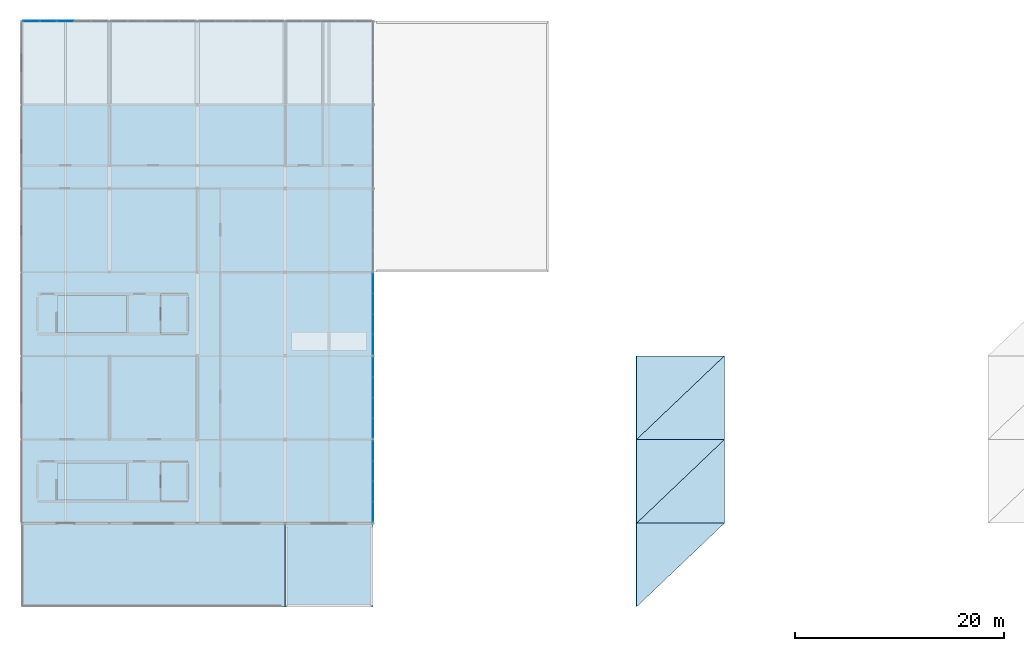
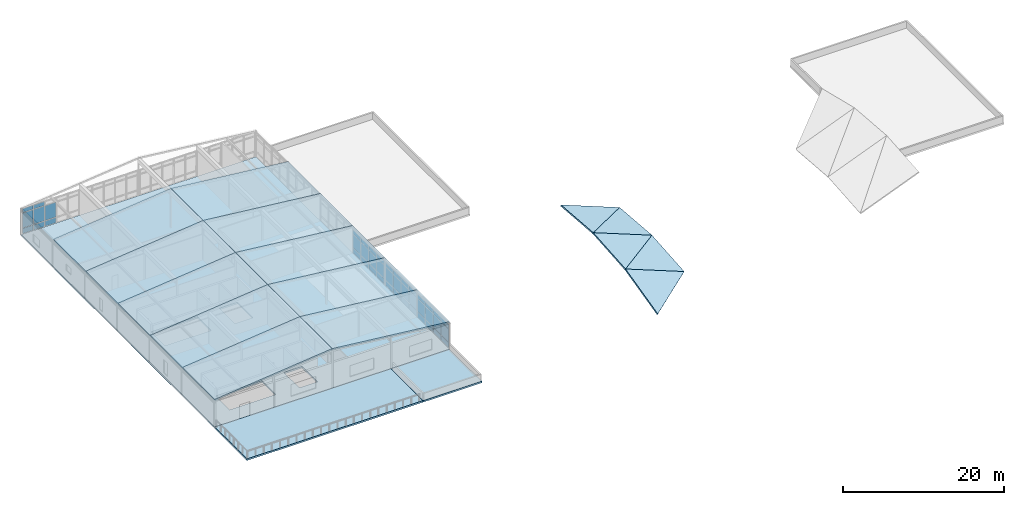
# One storey, part 15 of 25: 44 plates, 18 slabs, 4 elements without a shape of their own.
"""IFC4 building model written with IfcOpenShell, lengths in metres."""

import ifcopenshell
import ifcopenshell.guid

model = None  # the IFC model being written
_history = None  # IfcOwnerHistory: only IFC2X3 demands one
_inside = {}  # id of a spatial element -> (the spatial element, [elements in it])
_under = {}  # id of a project, library or spatial element -> (it, [spatial elements below it])
_declared = {}  # id of a project -> (the project, [libraries it declares])
_typed = {}  # id of a type object -> (the type object, [elements of that type])
_made_of = {}  # id of a material, layer set ... -> (it, [elements and type objects made of it])


def new_model(schema):
    """Start an empty IFC model of exactly this schema.

    Asked for "IFC4X3", IfcOpenShell would pick the latest addendum, in which some entities
    have other attributes; the version numbers below select the first issue.
    IFC2X3 requires an IfcOwnerHistory on every rooted entity: one is made here for all.
    """
    global model, _history
    if schema == "IFC4X3":
        model = ifcopenshell.file(schema_version=(4, 3, 0, 0))
    else:
        model = ifcopenshell.file(schema=schema)
    _inside.clear()
    _under.clear()
    _declared.clear()
    _typed.clear()
    _made_of.clear()
    _history = None
    if model.schema == "IFC2X3":
        org = make("IfcOrganization", Name="unknown")
        user = make(
            "IfcPersonAndOrganization",
            ThePerson=make("IfcPerson", FamilyName="unknown"),
            TheOrganization=org,
        )
        app = make(
            "IfcApplication",
            ApplicationDeveloper=org,
            Version="unknown",
            ApplicationFullName="unknown",
            ApplicationIdentifier="unknown",
        )
        _history = make(
            "IfcOwnerHistory",
            OwningUser=user,
            OwningApplication=app,
            ChangeAction="ADDED",
            CreationDate=0,
        )
    return model


def make(cls, **values):
    """One entity of the class cls with the attributes given. An attribute that is None is left unset."""
    return model.create_entity(
        cls, **{name: value for name, value in values.items() if value is not None}
    )


def rooted(cls, **values):
    """An entity with a GlobalId (a new one), such as an element, a storey or a relation."""
    return make(cls, GlobalId=ifcopenshell.guid.new(), OwnerHistory=_history, **values)


def si_unit(unit_type, name, prefix=None):
    """IfcSIUnit, for example si_unit("LENGTHUNIT", "METRE", prefix="MILLI")."""
    return make("IfcSIUnit", UnitType=unit_type, Prefix=prefix, Name=name)


def assignment(units):
    """IfcUnitAssignment: the units of a project."""
    return None if units is None else make("IfcUnitAssignment", Units=units)


def point(xyz):
    """IfcCartesianPoint."""
    return None if xyz is None else make("IfcCartesianPoint", Coordinates=xyz)


def direction(xyz):
    """IfcDirection."""
    return None if xyz is None else make("IfcDirection", DirectionRatios=xyz)


def frame(location, z_axis=None, x_axis=None):
    """IfcAxis2Placement3D, a coordinate frame: its origin and axes. An axis left out is left unset."""
    return make(
        "IfcAxis2Placement3D",
        Location=point(location),
        Axis=direction(z_axis),
        RefDirection=direction(x_axis),
    )


def frame_2d(location, x_axis=None):
    """IfcAxis2Placement2D, a coordinate frame in the plane: its origin and x axis."""
    return make(
        "IfcAxis2Placement2D", Location=point(location), RefDirection=direction(x_axis)
    )


def origin():
    """The frame at (0, 0, 0) with its axes left unset."""
    return frame((0.0, 0.0, 0.0))


def origin_2d():
    """The frame at (0, 0) in the plane with its x axis left unset."""
    return frame_2d((0.0, 0.0))


def place(relative_to, where):
    """IfcLocalPlacement: puts the frame where relative to a parent placement (None: the world)."""
    return make(
        "IfcLocalPlacement", PlacementRelTo=relative_to, RelativePlacement=where
    )


def context(
    kind, dimensions, precision=None, world=None, true_north=None, identifier=None
):
    """IfcGeometricRepresentationContext, for example the 3D "Model" context."""
    return make(
        "IfcGeometricRepresentationContext",
        ContextIdentifier=identifier,
        ContextType=kind,
        CoordinateSpaceDimension=dimensions,
        Precision=precision,
        WorldCoordinateSystem=world,
        TrueNorth=true_north,
    )


def subcontext(parent, identifier, kind, view, scale=None):
    """IfcGeometricRepresentationSubContext, for example "Body" below "Model"."""
    return make(
        "IfcGeometricRepresentationSubContext",
        ContextIdentifier=identifier,
        ContextType=kind,
        ParentContext=parent,
        TargetScale=scale,
        TargetView=view,
    )


def project(units=None, contexts=None):
    """IfcProject with its units and contexts."""
    return rooted(
        "IfcProject",
        Name="project",
        RepresentationContexts=contexts,
        UnitsInContext=assignment(units),
    )


def spatial(cls, under=None, at=None, **own):
    """A site, building, storey or space (cls), placed at a placement, below another one or the project."""
    s = rooted(cls, ObjectPlacement=at, **own)
    if under is not None:
        _under.setdefault(under.id(), (under, []))[1].append(s)
    return s


def polyline(points):
    """IfcPolyline through the points."""
    return make("IfcPolyline", Points=[point(p) for p in points])


def profile(cls, at=None, kind="AREA", **sizes):
    """A parametric profile (cls). Its sizes go by their IFC names, for example OverallWidth=200.0."""
    return make(cls, ProfileType=kind, Position=at, **sizes)


def rectangle(**sizes):
    """IfcRectangleProfileDef."""
    return profile("IfcRectangleProfileDef", **sizes)


def outline(outer, holes=None, kind="AREA"):
    """IfcArbitraryClosedProfileDef: a profile drawn as a closed curve; with holes, ...WithVoids."""
    if holes is None:
        return make("IfcArbitraryClosedProfileDef", ProfileType=kind, OuterCurve=outer)
    return make(
        "IfcArbitraryProfileDefWithVoids",
        ProfileType=kind,
        OuterCurve=outer,
        InnerCurves=holes,
    )


def extrude(swept, where, along, depth):
    """IfcExtrudedAreaSolid: the profile swept, set in the frame where, extruded along a direction by depth."""
    return make(
        "IfcExtrudedAreaSolid",
        SweptArea=swept,
        Position=where,
        ExtrudedDirection=direction(along),
        Depth=depth,
    )


def shape(context_of_items, identifier, shape_type, items):
    """IfcShapeRepresentation: the items that make up one representation, for example the "Body"."""
    return make(
        "IfcShapeRepresentation",
        ContextOfItems=context_of_items,
        RepresentationIdentifier=identifier,
        RepresentationType=shape_type,
        Items=items,
    )


def material(Name=None, Category=None):
    """IfcMaterial."""
    return make("IfcMaterial", Name=Name, Category=Category)


def layer(
    of_material, thickness, ventilated=None, Name=None, Category=None, Priority=None
):
    """IfcMaterialLayer: one layer of a wall or slab, of a material (None: an air gap)."""
    return make(
        "IfcMaterialLayer",
        Material=of_material,
        LayerThickness=thickness,
        IsVentilated=ventilated,
        Name=Name,
        Category=Category,
        Priority=Priority,
    )


def layer_set(layers, Name=None):
    """IfcMaterialLayerSet."""
    return make("IfcMaterialLayerSet", MaterialLayers=layers, LayerSetName=Name)


def made_of(thing, what):
    """Note that an element or type object is made of a material, layer set ...; save() writes the relation."""
    if what is not None:
        _made_of.setdefault(what.id(), (what, []))[1].append(thing)
    return thing


def type_object(cls, material=None, **own):
    """A type object (cls), such as IfcWallType, which elements share."""
    return made_of(rooted(cls, **own), material)


def element(
    cls,
    number,
    at=None,
    inside=None,
    cuts=None,
    type_object=None,
    material=None,
    context=None,
    identifier="Body",
    shape_type=None,
    held_by="IfcProductDefinitionShape",
    body=None,
    shapes=None,
    **own,
):
    """One element of the class cls, such as IfcWall. Its Tag is "e" and its number.

    at: its placement. inside: the storey or other place that contains it. cuts: it is an
    opening in that element (IfcRelVoidsElement). A single representation is given by context,
    identifier, shape_type and body (its items); several are given by shapes. held_by: the class
    of the entity that holds the representations. save() writes the other relations.
    """
    e = rooted(cls, Tag="e%d" % number, ObjectPlacement=at, **own)
    if body is not None:
        shapes = [shape(context, identifier, shape_type, body)]
    if shapes is not None:
        e.Representation = make(held_by, Representations=shapes)
    if inside is not None:
        _inside.setdefault(inside.id(), (inside, []))[1].append(e)
    if cuts is not None:
        rooted(
            "IfcRelVoidsElement", RelatingBuildingElement=cuts, RelatedOpeningElement=e
        )
    if type_object is not None:
        _typed.setdefault(type_object.id(), (type_object, []))[1].append(e)
    return made_of(e, material)


def aggregate(whole, parts):
    """IfcRelAggregates: a whole, such as a stair, and the parts it consists of."""
    return rooted("IfcRelAggregates", RelatingObject=whole, RelatedObjects=parts)


def save(model, path):
    """Write the relations noted so far, then the file.

    IfcRelAggregates (storeys below a building ...), IfcRelContainedInSpatialStructure (elements
    in a storey), IfcRelDefinesByType, IfcRelAssociatesMaterial and IfcRelDeclares: one each for
    every whole, place, type object, material and project.
    """
    for whole, parts in _under.values():
        aggregate(whole, parts)
    for where, things in _inside.values():
        rooted(
            "IfcRelContainedInSpatialStructure",
            RelatedElements=things,
            RelatingStructure=where,
        )
    for kind, things in _typed.values():
        rooted("IfcRelDefinesByType", RelatedObjects=things, RelatingType=kind)
    for what, things in _made_of.values():
        rooted("IfcRelAssociatesMaterial", RelatedObjects=things, RelatingMaterial=what)
    for by, libraries in _declared.values():
        rooted("IfcRelDeclares", RelatingContext=by, RelatedDefinitions=libraries)
    model.write(path)


model = new_model("IFC4")

# Units and contexts
model_context = context("Model", 3, precision=1e-05, world=origin(), true_north=direction((0.0, 1.0)))
body_context = subcontext(model_context, "Body", "Model", "MODEL_VIEW")
ifc_project = project(units=[si_unit("LENGTHUNIT", "METRE"), si_unit("AREAUNIT", "SQUARE_METRE"), si_unit("VOLUMEUNIT", "CUBIC_METRE"), si_unit("PLANEANGLEUNIT", "RADIAN"), si_unit("MASSUNIT", "GRAM", prefix="KILO")], contexts=[model_context])

# Site, building, storey
site_placement = place(None, origin())
site = spatial("IfcSite", under=ifc_project, at=site_placement, CompositionType="ELEMENT")
building_placement = place(site_placement, origin())
building = spatial("IfcBuilding", under=site, at=building_placement, Name="Kranzveld Transit Interchange", CompositionType="ELEMENT")
storey_placement = place(building_placement, frame((0.0, 0.0, 21.0400390625)))
storey = spatial("IfcBuildingStorey", under=building, at=storey_placement, Name="L05", CompositionType="ELEMENT", Elevation=21.0400390625)

# Slabs
ifc_material_1 = material(Name="Concrete C35/45", Category="concrete")
ifc_layer_1 = layer(ifc_material_1, 0.25)
ifc_layer_set_1 = layer_set([ifc_layer_1], Name="Concrete C35/45")
slab_type_1 = type_object("IfcSlabType", Name="Control Floor Slab 250 C35/45", PredefinedType="FLOOR", material=ifc_layer_set_1)
slab_1_placement = place(storey_placement, frame((0.0, 0.0, -0.25)))
element("IfcSlab", 1, at=slab_1_placement, inside=storey, type_object=slab_type_1, Name="L05 Suspended Floor Slab 1", PredefinedType="FLOOR", context=body_context, shape_type="SweptSolid", body=[
    extrude(outline(polyline([(0.0, 64.0), (0.0, 112.0), (33.60009765625, 112.0), (33.60009765625, 64.0), (0.0, 64.0)]), holes=[polyline([(3.41796875, 69.72998046875), (3.41796875, 66.27001953125), (10.050048828125, 66.27001953125), (10.050048828125, 69.72998046875), (3.41796875, 69.72998046875)]), polyline([(13.300048828125, 66.090087890625), (15.89990234375, 66.090087890625), (15.89990234375, 69.909912109375), (13.300048828125, 69.909912109375), (13.300048828125, 66.090087890625)]), polyline([(3.41796875, 85.72998046875), (3.41796875, 82.27001953125), (10.050048828125, 82.27001953125), (10.050048828125, 85.72998046875), (3.41796875, 85.72998046875)]), polyline([(13.300048828125, 82.090087890625), (15.89990234375, 82.090087890625), (15.89990234375, 85.909912109375), (13.300048828125, 85.909912109375), (13.300048828125, 82.090087890625)])]), origin(), (0.0, 0.0, 1.0), 0.25),
])
ifc_material_2 = material(Name="Concrete C35/45", Category="concrete")
ifc_layer_2 = layer(ifc_material_2, 0.239990234375)
ifc_layer_set_2 = layer_set([ifc_layer_2], Name="Concrete C35/45")
slab_type_2 = type_object("IfcSlabType", Name="Crown Concrete Roof Slab 240 C35/45", PredefinedType="ROOF", material=ifc_layer_set_2)
slab_2_placement = place(storey_placement, frame((0.0, 64.0, 4.159912109375), z_axis=(-0.106636790815, 0.0, 0.994298041256), x_axis=(0.994298041256, 0.0, 0.106636790815)))
element("IfcSlab", 2, at=slab_2_placement, inside=storey, type_object=slab_type_2, Name="L05 Vaulted Crown Roof Facet J-K W", PredefinedType="ROOF", context=body_context, shape_type="SweptSolid", body=[
    extrude(outline(polyline([(0.0, 0.0), (16.880185669159225, 0.0), (16.880185669159225, 8.000000000000002), (0.0, 8.000000000000002), (0.0, 0.0)])), origin(), (0.0, 0.0, -1.0), 0.239990234375),
])
slab_3_placement = place(storey_placement, frame((16.81591796875, 64.0, 5.9599609375), z_axis=(0.106635257328, 0.0, 0.994298205718), x_axis=(0.994298205718, 0.0, -0.106635257328)))
element("IfcSlab", 3, at=slab_3_placement, inside=storey, type_object=slab_type_2, Name="L05 Vaulted Crown Roof Facet J-K E", PredefinedType="ROOF", context=body_context, shape_type="SweptSolid", body=[
    extrude(outline(polyline([(0.0, 0.0), (16.880428417724527, 0.0), (16.880428417724527, 8.0), (0.0, 8.0), (0.0, 0.0)])), origin(), (0.0, 0.0, -1.0), 0.239990234375),
])
slab_4_placement = place(storey_placement, frame((0.0, 72.0, 4.159912109375), z_axis=(-0.106636790815, 0.0, 0.994298041256), x_axis=(0.994298041256, 0.0, 0.106636790815)))
element("IfcSlab", 4, at=slab_4_placement, inside=storey, type_object=slab_type_2, Name="L05 Vaulted Crown Roof Facet K-L W", PredefinedType="ROOF", context=body_context, shape_type="SweptSolid", body=[
    extrude(outline(polyline([(0.0, 0.0), (16.880185669159225, 0.0), (16.880185669159225, 8.000000000000002), (0.0, 8.000000000000002), (0.0, 0.0)])), origin(), (0.0, 0.0, -1.0), 0.239990234375),
])
slab_5_placement = place(storey_placement, frame((16.81591796875, 72.0, 5.9599609375), z_axis=(0.106635257328, 0.0, 0.994298205718), x_axis=(0.994298205718, 0.0, -0.106635257328)))
element("IfcSlab", 5, at=slab_5_placement, inside=storey, type_object=slab_type_2, Name="L05 Vaulted Crown Roof Facet K-L E", PredefinedType="ROOF", context=body_context, shape_type="SweptSolid", body=[
    extrude(outline(polyline([(0.0, 0.0), (16.880428417724527, 0.0), (16.880428417724527, 8.0), (0.0, 8.0), (0.0, 0.0)])), origin(), (0.0, 0.0, -1.0), 0.239990234375),
])
slab_6_placement = place(storey_placement, frame((0.0, 80.0, 4.159912109375), z_axis=(-0.106636790815, 0.0, 0.994298041256), x_axis=(0.994298041256, 0.0, 0.106636790815)))
element("IfcSlab", 6, at=slab_6_placement, inside=storey, type_object=slab_type_2, Name="L05 Vaulted Crown Roof Facet L-M W", PredefinedType="ROOF", context=body_context, shape_type="SweptSolid", body=[
    extrude(outline(polyline([(0.0, 0.0), (16.880185669159225, 0.0), (16.880185669159225, 8.000000000000002), (0.0, 8.000000000000002), (0.0, 0.0)])), origin(), (0.0, 0.0, -1.0), 0.239990234375),
])
slab_7_placement = place(storey_placement, frame((16.81591796875, 80.0, 5.9599609375), z_axis=(0.106635257328, 0.0, 0.994298205718), x_axis=(0.994298205718, 0.0, -0.106635257328)))
element("IfcSlab", 7, at=slab_7_placement, inside=storey, type_object=slab_type_2, Name="L05 Vaulted Crown Roof Facet L-M E", PredefinedType="ROOF", context=body_context, shape_type="SweptSolid", body=[
    extrude(outline(polyline([(0.0, 0.0), (16.880428417724527, 0.0), (16.880428417724527, 8.0), (0.0, 8.0), (0.0, 0.0)])), origin(), (0.0, 0.0, -1.0), 0.239990234375),
])
slab_8_placement = place(storey_placement, frame((0.0, 88.0, 4.159912109375), z_axis=(-0.106636790815, 0.0, 0.994298041256), x_axis=(0.994298041256, 0.0, 0.106636790815)))
element("IfcSlab", 8, at=slab_8_placement, inside=storey, type_object=slab_type_2, Name="L05 Vaulted Crown Roof Facet M-N W", PredefinedType="ROOF", context=body_context, shape_type="SweptSolid", body=[
    extrude(outline(polyline([(0.0, 0.0), (16.880185669159225, 0.0), (16.880185669159225, 8.000000000000002), (0.0, 8.000000000000002), (0.0, 0.0)])), origin(), (0.0, 0.0, -1.0), 0.239990234375),
])
slab_9_placement = place(storey_placement, frame((16.81591796875, 88.0, 5.9599609375), z_axis=(0.106635257328, 0.0, 0.994298205718), x_axis=(0.994298205718, 0.0, -0.106635257328)))
element("IfcSlab", 9, at=slab_9_placement, inside=storey, type_object=slab_type_2, Name="L05 Vaulted Crown Roof Facet M-N E", PredefinedType="ROOF", context=body_context, shape_type="SweptSolid", body=[
    extrude(outline(polyline([(0.0, 0.0), (16.880428417724527, 0.0), (16.880428417724527, 8.0), (0.0, 8.0), (0.0, 0.0)])), origin(), (0.0, 0.0, -1.0), 0.239990234375),
])
slab_10_placement = place(storey_placement, frame((0.0, 96.0, 4.159912109375), z_axis=(-0.106636790815, 0.0, 0.994298041256), x_axis=(0.994298041256, 0.0, 0.106636790815)))
element("IfcSlab", 10, at=slab_10_placement, inside=storey, type_object=slab_type_2, Name="L05 Vaulted Crown Roof Facet N-P W", PredefinedType="ROOF", context=body_context, shape_type="SweptSolid", body=[
    extrude(outline(polyline([(0.0, 0.0), (16.880185669159225, 0.0), (16.880185669159225, 8.000000000000002), (0.0, 8.000000000000002), (0.0, 0.0)])), origin(), (0.0, 0.0, -1.0), 0.239990234375),
])
slab_11_placement = place(storey_placement, frame((16.81591796875, 96.0, 5.9599609375), z_axis=(0.106635257328, 0.0, 0.994298205718), x_axis=(0.994298205718, 0.0, -0.106635257328)))
element("IfcSlab", 11, at=slab_11_placement, inside=storey, type_object=slab_type_2, Name="L05 Vaulted Crown Roof Facet N-P E", PredefinedType="ROOF", context=body_context, shape_type="SweptSolid", body=[
    extrude(outline(polyline([(0.0, 0.0), (16.880428417724527, 0.0), (16.880428417724527, 8.0), (0.0, 8.0), (0.0, 0.0)])), origin(), (0.0, 0.0, -1.0), 0.239990234375),
])

# Curtain wall, plates
ifc_material_3 = material(Name="Bronze-anodised thermally broken aluminium", Category="aluminium")
ifc_layer_3 = layer(ifc_material_3, 0.18505859375)
ifc_layer_set_3 = layer_set([ifc_layer_3], Name="Bronze-anodised thermally broken aluminium")
curtain_wall_type = type_object("IfcCurtainWallType", Name="Control Crown Observation Facade CW-5", PredefinedType="USERDEFINED", material=ifc_layer_set_3)
curtain_wall_1_placement = place(storey_placement, origin())
curtain_wall_1 = element("IfcCurtainWall", 12, at=curtain_wall_1_placement, inside=storey, type_object=curtain_wall_type, Name="L05 Curtain Wall 05/J-05/K", ObjectType="CURTAIN WALL", PredefinedType="USERDEFINED")
ifc_material_4 = material(Name="Solar-control double glazing", Category="glass")
ifc_layer_4 = layer(ifc_material_4, 0.035888671875)
ifc_layer_set_4 = layer_set([ifc_layer_4], Name="Solar-control double glazing")
plate_type = type_object("IfcPlateType", Name="Curtain Panel Triple Glazing 36", PredefinedType="CURTAIN_PANEL", material=ifc_layer_set_4)
plate_1_placement = place(storey_placement, frame((33.60009765625, 65.092529296875, 0.06494140625), z_axis=(0.0, 0.0, 1.0), x_axis=(0.0, 1.0, 0.0)))
plate_1 = element("IfcPlate", 13, at=plate_1_placement, type_object=plate_type, Name="CW-5 panel 1.1", PredefinedType="CURTAIN_PANEL", context=body_context, shape_type="SweptSolid", body=[
    extrude(rectangle(XDim=1.85498046875, YDim=0.035888671875, at=origin_2d()), origin(), (0.0, 0.0, 1.0), 0.802490234375),
])
plate_2_placement = place(storey_placement, frame((33.60009765625, 65.092529296875, 0.932373046875), z_axis=(0.0, 0.0, 1.0), x_axis=(0.0, 1.0, 0.0)))
plate_2 = element("IfcPlate", 14, at=plate_2_placement, type_object=plate_type, Name="CW-5 panel 1.2", PredefinedType="CURTAIN_PANEL", context=body_context, shape_type="SweptSolid", body=[
    extrude(rectangle(XDim=1.85498046875, YDim=0.035888671875, at=origin_2d()), origin(), (0.0, 0.0, 1.0), 1.955078125),
])
plate_3_placement = place(storey_placement, frame((33.60009765625, 65.092529296875, 2.952392578125), z_axis=(0.0, 0.0, 1.0), x_axis=(0.0, 1.0, 0.0)))
plate_3 = element("IfcPlate", 15, at=plate_3_placement, type_object=plate_type, Name="CW-5 panel 1.3", PredefinedType="CURTAIN_PANEL", context=body_context, shape_type="SweptSolid", body=[
    extrude(rectangle(XDim=1.85498046875, YDim=0.035888671875, at=origin_2d()), origin(), (0.0, 0.0, 1.0), 0.6025390625),
])
plate_4_placement = place(storey_placement, frame((33.60009765625, 67.02880859375, 0.06494140625), z_axis=(0.0, 0.0, 1.0), x_axis=(0.0, 1.0, 0.0)))
plate_4 = element("IfcPlate", 16, at=plate_4_placement, type_object=plate_type, Name="CW-5 panel 2.1", PredefinedType="CURTAIN_PANEL", context=body_context, shape_type="SweptSolid", body=[
    extrude(rectangle(XDim=1.887451171875, YDim=0.035888671875, at=origin_2d()), origin(), (0.0, 0.0, 1.0), 0.802490234375),
])
plate_5_placement = place(storey_placement, frame((33.60009765625, 67.02880859375, 0.932373046875), z_axis=(0.0, 0.0, 1.0), x_axis=(0.0, 1.0, 0.0)))
plate_5 = element("IfcPlate", 17, at=plate_5_placement, type_object=plate_type, Name="CW-5 panel 2.2", PredefinedType="CURTAIN_PANEL", context=body_context, shape_type="SweptSolid", body=[
    extrude(rectangle(XDim=1.887451171875, YDim=0.035888671875, at=origin_2d()), origin(), (0.0, 0.0, 1.0), 1.955078125),
])
plate_6_placement = place(storey_placement, frame((33.60009765625, 67.02880859375, 2.952392578125), z_axis=(0.0, 0.0, 1.0), x_axis=(0.0, 1.0, 0.0)))
plate_6 = element("IfcPlate", 18, at=plate_6_placement, type_object=plate_type, Name="CW-5 panel 2.3", PredefinedType="CURTAIN_PANEL", context=body_context, shape_type="SweptSolid", body=[
    extrude(rectangle(XDim=1.887451171875, YDim=0.035888671875, at=origin_2d()), origin(), (0.0, 0.0, 1.0), 0.6025390625),
])
plate_7_placement = place(storey_placement, frame((33.60009765625, 68.981201171875, 0.06494140625), z_axis=(0.0, 0.0, 1.0), x_axis=(0.0, 1.0, 0.0)))
plate_7 = element("IfcPlate", 19, at=plate_7_placement, type_object=plate_type, Name="CW-5 panel 3.1", PredefinedType="CURTAIN_PANEL", context=body_context, shape_type="SweptSolid", body=[
    extrude(rectangle(XDim=1.887451171875, YDim=0.035888671875, at=origin_2d()), origin(), (0.0, 0.0, 1.0), 0.802490234375),
])
plate_8_placement = place(storey_placement, frame((33.60009765625, 68.981201171875, 0.932373046875), z_axis=(0.0, 0.0, 1.0), x_axis=(0.0, 1.0, 0.0)))
plate_8 = element("IfcPlate", 20, at=plate_8_placement, type_object=plate_type, Name="CW-5 panel 3.2", PredefinedType="CURTAIN_PANEL", context=body_context, shape_type="SweptSolid", body=[
    extrude(rectangle(XDim=1.887451171875, YDim=0.035888671875, at=origin_2d()), origin(), (0.0, 0.0, 1.0), 1.955078125),
])
plate_9_placement = place(storey_placement, frame((33.60009765625, 68.981201171875, 2.952392578125), z_axis=(0.0, 0.0, 1.0), x_axis=(0.0, 1.0, 0.0)))
plate_9 = element("IfcPlate", 21, at=plate_9_placement, type_object=plate_type, Name="CW-5 panel 3.3", PredefinedType="CURTAIN_PANEL", context=body_context, shape_type="SweptSolid", body=[
    extrude(rectangle(XDim=1.887451171875, YDim=0.035888671875, at=origin_2d()), origin(), (0.0, 0.0, 1.0), 0.6025390625),
])
plate_10_placement = place(storey_placement, frame((33.60009765625, 70.91748046875, 0.06494140625), z_axis=(0.0, 0.0, 1.0), x_axis=(0.0, 1.0, 0.0)))
plate_10 = element("IfcPlate", 22, at=plate_10_placement, type_object=plate_type, Name="CW-5 panel 4.1", PredefinedType="CURTAIN_PANEL", context=body_context, shape_type="SweptSolid", body=[
    extrude(rectangle(XDim=1.85498046875, YDim=0.035888671875, at=origin_2d()), origin(), (0.0, 0.0, 1.0), 0.802490234375),
])
plate_11_placement = place(storey_placement, frame((33.60009765625, 70.91748046875, 0.932373046875), z_axis=(0.0, 0.0, 1.0), x_axis=(0.0, 1.0, 0.0)))
plate_11 = element("IfcPlate", 23, at=plate_11_placement, type_object=plate_type, Name="CW-5 panel 4.2", PredefinedType="CURTAIN_PANEL", context=body_context, shape_type="SweptSolid", body=[
    extrude(rectangle(XDim=1.85498046875, YDim=0.035888671875, at=origin_2d()), origin(), (0.0, 0.0, 1.0), 1.955078125),
])
plate_12_placement = place(storey_placement, frame((33.60009765625, 70.91748046875, 2.952392578125), z_axis=(0.0, 0.0, 1.0), x_axis=(0.0, 1.0, 0.0)))
plate_12 = element("IfcPlate", 24, at=plate_12_placement, type_object=plate_type, Name="CW-5 panel 4.3", PredefinedType="CURTAIN_PANEL", context=body_context, shape_type="SweptSolid", body=[
    extrude(rectangle(XDim=1.85498046875, YDim=0.035888671875, at=origin_2d()), origin(), (0.0, 0.0, 1.0), 0.6025390625),
])
aggregate(curtain_wall_1, [plate_1, plate_2, plate_3, plate_4, plate_5, plate_6, plate_7, plate_8, plate_9, plate_10, plate_11, plate_12])

curtain_wall_2_placement = place(storey_placement, origin())
curtain_wall_2 = element("IfcCurtainWall", 25, at=curtain_wall_2_placement, inside=storey, type_object=curtain_wall_type, Name="L05 Curtain Wall 05/K-05/L", ObjectType="CURTAIN WALL", PredefinedType="USERDEFINED")
plate_13_placement = place(storey_placement, frame((33.60009765625, 73.08251953125, 0.06494140625), z_axis=(0.0, 0.0, 1.0), x_axis=(0.0, 1.0, 0.0)))
plate_13 = element("IfcPlate", 26, at=plate_13_placement, type_object=plate_type, Name="CW-5 panel 1.1", PredefinedType="CURTAIN_PANEL", context=body_context, shape_type="SweptSolid", body=[
    extrude(rectangle(XDim=1.85498046875, YDim=0.035888671875, at=origin_2d()), origin(), (0.0, 0.0, 1.0), 0.802490234375),
])
plate_14_placement = place(storey_placement, frame((33.60009765625, 73.08251953125, 0.932373046875), z_axis=(0.0, 0.0, 1.0), x_axis=(0.0, 1.0, 0.0)))
plate_14 = element("IfcPlate", 27, at=plate_14_placement, type_object=plate_type, Name="CW-5 panel 1.2", PredefinedType="CURTAIN_PANEL", context=body_context, shape_type="SweptSolid", body=[
    extrude(rectangle(XDim=1.85498046875, YDim=0.035888671875, at=origin_2d()), origin(), (0.0, 0.0, 1.0), 1.955078125),
])
plate_15_placement = place(storey_placement, frame((33.60009765625, 73.08251953125, 2.952392578125), z_axis=(0.0, 0.0, 1.0), x_axis=(0.0, 1.0, 0.0)))
plate_15 = element("IfcPlate", 28, at=plate_15_placement, type_object=plate_type, Name="CW-5 panel 1.3", PredefinedType="CURTAIN_PANEL", context=body_context, shape_type="SweptSolid", body=[
    extrude(rectangle(XDim=1.85498046875, YDim=0.035888671875, at=origin_2d()), origin(), (0.0, 0.0, 1.0), 0.6025390625),
])
plate_16_placement = place(storey_placement, frame((33.60009765625, 75.018798828125, 0.06494140625), z_axis=(0.0, 0.0, 1.0), x_axis=(0.0, 1.0, 0.0)))
plate_16 = element("IfcPlate", 29, at=plate_16_placement, type_object=plate_type, Name="CW-5 panel 2.1", PredefinedType="CURTAIN_PANEL", context=body_context, shape_type="SweptSolid", body=[
    extrude(rectangle(XDim=1.887451171875, YDim=0.035888671875, at=origin_2d()), origin(), (0.0, 0.0, 1.0), 0.802490234375),
])
plate_17_placement = place(storey_placement, frame((33.60009765625, 75.018798828125, 0.932373046875), z_axis=(0.0, 0.0, 1.0), x_axis=(0.0, 1.0, 0.0)))
plate_17 = element("IfcPlate", 30, at=plate_17_placement, type_object=plate_type, Name="CW-5 panel 2.2", PredefinedType="CURTAIN_PANEL", context=body_context, shape_type="SweptSolid", body=[
    extrude(rectangle(XDim=1.887451171875, YDim=0.035888671875, at=origin_2d()), origin(), (0.0, 0.0, 1.0), 1.955078125),
])
plate_18_placement = place(storey_placement, frame((33.60009765625, 75.018798828125, 2.952392578125), z_axis=(0.0, 0.0, 1.0), x_axis=(0.0, 1.0, 0.0)))
plate_18 = element("IfcPlate", 31, at=plate_18_placement, type_object=plate_type, Name="CW-5 panel 2.3", PredefinedType="CURTAIN_PANEL", context=body_context, shape_type="SweptSolid", body=[
    extrude(rectangle(XDim=1.887451171875, YDim=0.035888671875, at=origin_2d()), origin(), (0.0, 0.0, 1.0), 0.6025390625),
])
plate_19_placement = place(storey_placement, frame((33.60009765625, 76.97119140625, 0.06494140625), z_axis=(0.0, 0.0, 1.0), x_axis=(0.0, 1.0, 0.0)))
plate_19 = element("IfcPlate", 32, at=plate_19_placement, type_object=plate_type, Name="CW-5 panel 3.1", PredefinedType="CURTAIN_PANEL", context=body_context, shape_type="SweptSolid", body=[
    extrude(rectangle(XDim=1.887451171875, YDim=0.035888671875, at=origin_2d()), origin(), (0.0, 0.0, 1.0), 0.802490234375),
])
plate_20_placement = place(storey_placement, frame((33.60009765625, 76.97119140625, 0.932373046875), z_axis=(0.0, 0.0, 1.0), x_axis=(0.0, 1.0, 0.0)))
plate_20 = element("IfcPlate", 33, at=plate_20_placement, type_object=plate_type, Name="CW-5 panel 3.2", PredefinedType="CURTAIN_PANEL", context=body_context, shape_type="SweptSolid", body=[
    extrude(rectangle(XDim=1.887451171875, YDim=0.035888671875, at=origin_2d()), origin(), (0.0, 0.0, 1.0), 1.955078125),
])
plate_21_placement = place(storey_placement, frame((33.60009765625, 76.97119140625, 2.952392578125), z_axis=(0.0, 0.0, 1.0), x_axis=(0.0, 1.0, 0.0)))
plate_21 = element("IfcPlate", 34, at=plate_21_placement, type_object=plate_type, Name="CW-5 panel 3.3", PredefinedType="CURTAIN_PANEL", context=body_context, shape_type="SweptSolid", body=[
    extrude(rectangle(XDim=1.887451171875, YDim=0.035888671875, at=origin_2d()), origin(), (0.0, 0.0, 1.0), 0.6025390625),
])
plate_22_placement = place(storey_placement, frame((33.60009765625, 78.907470703125, 0.06494140625), z_axis=(0.0, 0.0, 1.0), x_axis=(0.0, 1.0, 0.0)))
plate_22 = element("IfcPlate", 35, at=plate_22_placement, type_object=plate_type, Name="CW-5 panel 4.1", PredefinedType="CURTAIN_PANEL", context=body_context, shape_type="SweptSolid", body=[
    extrude(rectangle(XDim=1.85498046875, YDim=0.035888671875, at=origin_2d()), origin(), (0.0, 0.0, 1.0), 0.802490234375),
])
plate_23_placement = place(storey_placement, frame((33.60009765625, 78.907470703125, 0.932373046875), z_axis=(0.0, 0.0, 1.0), x_axis=(0.0, 1.0, 0.0)))
plate_23 = element("IfcPlate", 36, at=plate_23_placement, type_object=plate_type, Name="CW-5 panel 4.2", PredefinedType="CURTAIN_PANEL", context=body_context, shape_type="SweptSolid", body=[
    extrude(rectangle(XDim=1.85498046875, YDim=0.035888671875, at=origin_2d()), origin(), (0.0, 0.0, 1.0), 1.955078125),
])
plate_24_placement = place(storey_placement, frame((33.60009765625, 78.907470703125, 2.952392578125), z_axis=(0.0, 0.0, 1.0), x_axis=(0.0, 1.0, 0.0)))
plate_24 = element("IfcPlate", 37, at=plate_24_placement, type_object=plate_type, Name="CW-5 panel 4.3", PredefinedType="CURTAIN_PANEL", context=body_context, shape_type="SweptSolid", body=[
    extrude(rectangle(XDim=1.85498046875, YDim=0.035888671875, at=origin_2d()), origin(), (0.0, 0.0, 1.0), 0.6025390625),
])
aggregate(curtain_wall_2, [plate_13, plate_14, plate_15, plate_16, plate_17, plate_18, plate_19, plate_20, plate_21, plate_22, plate_23, plate_24])

curtain_wall_3_placement = place(storey_placement, origin())
curtain_wall_3 = element("IfcCurtainWall", 38, at=curtain_wall_3_placement, inside=storey, type_object=curtain_wall_type, Name="L05 Curtain Wall 05/L-05/M", ObjectType="CURTAIN WALL", PredefinedType="USERDEFINED")
plate_25_placement = place(storey_placement, frame((33.60009765625, 81.092529296875, 0.06494140625), z_axis=(0.0, 0.0, 1.0), x_axis=(0.0, 1.0, 0.0)))
plate_25 = element("IfcPlate", 39, at=plate_25_placement, type_object=plate_type, Name="CW-5 panel 1.1", PredefinedType="CURTAIN_PANEL", context=body_context, shape_type="SweptSolid", body=[
    extrude(rectangle(XDim=1.85498046875, YDim=0.035888671875, at=origin_2d()), origin(), (0.0, 0.0, 1.0), 0.802490234375),
])
plate_26_placement = place(storey_placement, frame((33.60009765625, 81.092529296875, 0.932373046875), z_axis=(0.0, 0.0, 1.0), x_axis=(0.0, 1.0, 0.0)))
plate_26 = element("IfcPlate", 40, at=plate_26_placement, type_object=plate_type, Name="CW-5 panel 1.2", PredefinedType="CURTAIN_PANEL", context=body_context, shape_type="SweptSolid", body=[
    extrude(rectangle(XDim=1.85498046875, YDim=0.035888671875, at=origin_2d()), origin(), (0.0, 0.0, 1.0), 1.955078125),
])
plate_27_placement = place(storey_placement, frame((33.60009765625, 81.092529296875, 2.952392578125), z_axis=(0.0, 0.0, 1.0), x_axis=(0.0, 1.0, 0.0)))
plate_27 = element("IfcPlate", 41, at=plate_27_placement, type_object=plate_type, Name="CW-5 panel 1.3", PredefinedType="CURTAIN_PANEL", context=body_context, shape_type="SweptSolid", body=[
    extrude(rectangle(XDim=1.85498046875, YDim=0.035888671875, at=origin_2d()), origin(), (0.0, 0.0, 1.0), 0.6025390625),
])
plate_28_placement = place(storey_placement, frame((33.60009765625, 83.02880859375, 0.06494140625), z_axis=(0.0, 0.0, 1.0), x_axis=(0.0, 1.0, 0.0)))
plate_28 = element("IfcPlate", 42, at=plate_28_placement, type_object=plate_type, Name="CW-5 panel 2.1", PredefinedType="CURTAIN_PANEL", context=body_context, shape_type="SweptSolid", body=[
    extrude(rectangle(XDim=1.887451171875, YDim=0.035888671875, at=origin_2d()), origin(), (0.0, 0.0, 1.0), 0.802490234375),
])
plate_29_placement = place(storey_placement, frame((33.60009765625, 83.02880859375, 0.932373046875), z_axis=(0.0, 0.0, 1.0), x_axis=(0.0, 1.0, 0.0)))
plate_29 = element("IfcPlate", 43, at=plate_29_placement, type_object=plate_type, Name="CW-5 panel 2.2", PredefinedType="CURTAIN_PANEL", context=body_context, shape_type="SweptSolid", body=[
    extrude(rectangle(XDim=1.887451171875, YDim=0.035888671875, at=origin_2d()), origin(), (0.0, 0.0, 1.0), 1.955078125),
])
plate_30_placement = place(storey_placement, frame((33.60009765625, 83.02880859375, 2.952392578125), z_axis=(0.0, 0.0, 1.0), x_axis=(0.0, 1.0, 0.0)))
plate_30 = element("IfcPlate", 44, at=plate_30_placement, type_object=plate_type, Name="CW-5 panel 2.3", PredefinedType="CURTAIN_PANEL", context=body_context, shape_type="SweptSolid", body=[
    extrude(rectangle(XDim=1.887451171875, YDim=0.035888671875, at=origin_2d()), origin(), (0.0, 0.0, 1.0), 0.6025390625),
])
plate_31_placement = place(storey_placement, frame((33.60009765625, 84.981201171875, 0.06494140625), z_axis=(0.0, 0.0, 1.0), x_axis=(0.0, 1.0, 0.0)))
plate_31 = element("IfcPlate", 45, at=plate_31_placement, type_object=plate_type, Name="CW-5 panel 3.1", PredefinedType="CURTAIN_PANEL", context=body_context, shape_type="SweptSolid", body=[
    extrude(rectangle(XDim=1.887451171875, YDim=0.035888671875, at=origin_2d()), origin(), (0.0, 0.0, 1.0), 0.802490234375),
])
plate_32_placement = place(storey_placement, frame((33.60009765625, 84.981201171875, 0.932373046875), z_axis=(0.0, 0.0, 1.0), x_axis=(0.0, 1.0, 0.0)))
plate_32 = element("IfcPlate", 46, at=plate_32_placement, type_object=plate_type, Name="CW-5 panel 3.2", PredefinedType="CURTAIN_PANEL", context=body_context, shape_type="SweptSolid", body=[
    extrude(rectangle(XDim=1.887451171875, YDim=0.035888671875, at=origin_2d()), origin(), (0.0, 0.0, 1.0), 1.955078125),
])
plate_33_placement = place(storey_placement, frame((33.60009765625, 84.981201171875, 2.952392578125), z_axis=(0.0, 0.0, 1.0), x_axis=(0.0, 1.0, 0.0)))
plate_33 = element("IfcPlate", 47, at=plate_33_placement, type_object=plate_type, Name="CW-5 panel 3.3", PredefinedType="CURTAIN_PANEL", context=body_context, shape_type="SweptSolid", body=[
    extrude(rectangle(XDim=1.887451171875, YDim=0.035888671875, at=origin_2d()), origin(), (0.0, 0.0, 1.0), 0.6025390625),
])
plate_34_placement = place(storey_placement, frame((33.60009765625, 86.91748046875, 0.06494140625), z_axis=(0.0, 0.0, 1.0), x_axis=(0.0, 1.0, 0.0)))
plate_34 = element("IfcPlate", 48, at=plate_34_placement, type_object=plate_type, Name="CW-5 panel 4.1", PredefinedType="CURTAIN_PANEL", context=body_context, shape_type="SweptSolid", body=[
    extrude(rectangle(XDim=1.85498046875, YDim=0.035888671875, at=origin_2d()), origin(), (0.0, 0.0, 1.0), 0.802490234375),
])
plate_35_placement = place(storey_placement, frame((33.60009765625, 86.91748046875, 0.932373046875), z_axis=(0.0, 0.0, 1.0), x_axis=(0.0, 1.0, 0.0)))
plate_35 = element("IfcPlate", 49, at=plate_35_placement, type_object=plate_type, Name="CW-5 panel 4.2", PredefinedType="CURTAIN_PANEL", context=body_context, shape_type="SweptSolid", body=[
    extrude(rectangle(XDim=1.85498046875, YDim=0.035888671875, at=origin_2d()), origin(), (0.0, 0.0, 1.0), 1.955078125),
])
plate_36_placement = place(storey_placement, frame((33.60009765625, 86.91748046875, 2.952392578125), z_axis=(0.0, 0.0, 1.0), x_axis=(0.0, 1.0, 0.0)))
plate_36 = element("IfcPlate", 50, at=plate_36_placement, type_object=plate_type, Name="CW-5 panel 4.3", PredefinedType="CURTAIN_PANEL", context=body_context, shape_type="SweptSolid", body=[
    extrude(rectangle(XDim=1.85498046875, YDim=0.035888671875, at=origin_2d()), origin(), (0.0, 0.0, 1.0), 0.6025390625),
])
aggregate(curtain_wall_3, [plate_25, plate_26, plate_27, plate_28, plate_29, plate_30, plate_31, plate_32, plate_33, plate_34, plate_35, plate_36])

curtain_wall_4_placement = place(storey_placement, origin())
curtain_wall_4 = element("IfcCurtainWall", 51, at=curtain_wall_4_placement, inside=storey, type_object=curtain_wall_type, Name="L05 Curtain Wall 01/Q-02/Q", ObjectType="CURTAIN WALL", PredefinedType="USERDEFINED")
plate_37_placement = place(storey_placement, frame((0.93603515625, 112.0, 0.06494140625), z_axis=(0.0, 0.0, 1.0), x_axis=(1.0, 0.0, 0.0)))
plate_37 = element("IfcPlate", 52, at=plate_37_placement, type_object=plate_type, Name="CW-5 panel 1.1", PredefinedType="CURTAIN_PANEL", context=body_context, shape_type="SweptSolid", body=[
    extrude(rectangle(XDim=1.542236328125, YDim=0.035888671875, at=origin_2d()), origin(), (0.0, 0.0, 1.0), 0.802490234375),
])
plate_38_placement = place(storey_placement, frame((0.93603515625, 112.0, 0.9326171875), z_axis=(0.0, 0.0, 1.0), x_axis=(1.0, 0.0, 0.0)))
plate_38 = element("IfcPlate", 53, at=plate_38_placement, type_object=plate_type, Name="CW-5 panel 1.2", PredefinedType="CURTAIN_PANEL", context=body_context, shape_type="SweptSolid", body=[
    extrude(rectangle(XDim=1.542236328125, YDim=0.035888671875, at=origin_2d()), origin(), (0.0, 0.0, 1.0), 2.2548828125),
])
plate_39_placement = place(storey_placement, frame((0.93603515625, 112.0, 3.25244140625), z_axis=(0.0, 0.0, 1.0), x_axis=(1.0, 0.0, 0.0)))
plate_39 = element("IfcPlate", 54, at=plate_39_placement, type_object=plate_type, Name="CW-5 panel 1.3", PredefinedType="CURTAIN_PANEL", context=body_context, shape_type="SweptSolid", body=[
    extrude(rectangle(XDim=1.542236328125, YDim=0.035888671875, at=origin_2d()), origin(), (0.0, 0.0, 1.0), 0.6025390625),
])
plate_40_placement = place(storey_placement, frame((2.5595703125, 112.0, 0.06494140625), z_axis=(0.0, 0.0, 1.0), x_axis=(1.0, 0.0, 0.0)))
plate_40 = element("IfcPlate", 55, at=plate_40_placement, type_object=plate_type, Name="CW-5 panel 2.1", PredefinedType="CURTAIN_PANEL", context=body_context, shape_type="SweptSolid", body=[
    extrude(rectangle(XDim=1.57470703125, YDim=0.035888671875, at=origin_2d()), origin(), (0.0, 0.0, 1.0), 0.802490234375),
])
plate_41_placement = place(storey_placement, frame((2.5595703125, 112.0, 0.9326171875), z_axis=(0.0, 0.0, 1.0), x_axis=(1.0, 0.0, 0.0)))
plate_41 = element("IfcPlate", 56, at=plate_41_placement, type_object=plate_type, Name="CW-5 panel 2.2", PredefinedType="CURTAIN_PANEL", context=body_context, shape_type="SweptSolid", body=[
    extrude(rectangle(XDim=1.57470703125, YDim=0.035888671875, at=origin_2d()), origin(), (0.0, 0.0, 1.0), 2.2548828125),
])
plate_42_placement = place(storey_placement, frame((2.5595703125, 112.0, 3.25244140625), z_axis=(0.0, 0.0, 1.0), x_axis=(1.0, 0.0, 0.0)))
plate_42 = element("IfcPlate", 57, at=plate_42_placement, type_object=plate_type, Name="CW-5 panel 2.3", PredefinedType="CURTAIN_PANEL", context=body_context, shape_type="SweptSolid", body=[
    extrude(rectangle(XDim=1.57470703125, YDim=0.035888671875, at=origin_2d()), origin(), (0.0, 0.0, 1.0), 0.6025390625),
])
plate_43_placement = place(storey_placement, frame((4.19921875, 112.0, 0.06494140625), z_axis=(0.0, 0.0, 1.0), x_axis=(1.0, 0.0, 0.0)))
plate_43 = element("IfcPlate", 58, at=plate_43_placement, type_object=plate_type, Name="CW-5 panel 3.1", PredefinedType="CURTAIN_PANEL", context=body_context, shape_type="SweptSolid", body=[
    extrude(rectangle(XDim=1.57470703125, YDim=0.035888671875, at=origin_2d()), origin(), (0.0, 0.0, 1.0), 0.802490234375),
])
plate_44_placement = place(storey_placement, frame((4.19921875, 112.0, 0.9326171875), z_axis=(0.0, 0.0, 1.0), x_axis=(1.0, 0.0, 0.0)))
plate_44 = element("IfcPlate", 59, at=plate_44_placement, type_object=plate_type, Name="CW-5 panel 3.2", PredefinedType="CURTAIN_PANEL", context=body_context, shape_type="SweptSolid", body=[
    extrude(rectangle(XDim=1.57470703125, YDim=0.035888671875, at=origin_2d()), origin(), (0.0, 0.0, 1.0), 2.2548828125),
])
aggregate(curtain_wall_4, [plate_37, plate_38, plate_39, plate_40, plate_41, plate_42, plate_43, plate_44])

# Slabs
ifc_material_5 = material(Name="Concrete C35/45", Category="concrete")
ifc_layer_5 = layer(ifc_material_5, 0.179931640625)
ifc_layer_set_5 = layer_set([ifc_layer_5], Name="Concrete C35/45")
slab_type_3 = type_object("IfcSlabType", Name="Saddle Hypar Composite Roof Deck 180 C35/45", PredefinedType="ROOF", material=ifc_layer_set_5)
slab_12_placement = place(storey_placement, frame((58.800048828125, 56.0, 1.35986328125), z_axis=(0.359240841475, -0.221028580127, 0.906693103858), x_axis=(0.719078408483, 0.684844541335, -0.117958453103)))
element("IfcSlab", 60, at=slab_12_placement, inside=storey, type_object=slab_type_3, Name="Concourse Saddle Roof Facet 08/H-2", PredefinedType="ROOF", context=body_context, shape_type="SweptSolid", body=[
    extrude(outline(polyline([(0.0, 0.0), (11.68148319385131, -4.440892098500626e-16), (5.248714308364168, 6.34462448582028), (0.0, 0.0)])), origin(), (0.0, 0.0, -1.0), 0.179931640625),
])
slab_13_placement = place(storey_placement, frame((58.800048828125, 64.0, 3.31005859375), z_axis=(0.367304277308, -0.07533934235, 0.927044525018), x_axis=(0.929686738301, 0.0, -0.368351148536)))
element("IfcSlab", 61, at=slab_13_placement, inside=storey, type_object=slab_type_3, Name="Concourse Saddle Roof Facet 08/J-1", PredefinedType="ROOF", context=body_context, shape_type="SweptSolid", body=[
    extrude(outline(polyline([(0.0, 0.0), (9.035196478226787, 0.0), (8.795714273990848, 8.02280117695805), (0.0, 0.0)])), origin(), (0.0, 0.0, -1.0), 0.179931640625),
])
slab_14_placement = place(storey_placement, frame((58.800048828125, 64.0, 3.31005859375), z_axis=(0.367281750517, -0.07531195701, 0.927055675172), x_axis=(0.705575436821, 0.671984418815, -0.224944979553)))
element("IfcSlab", 62, at=slab_14_placement, inside=storey, type_object=slab_type_3, Name="Concourse Saddle Roof Facet 08/J-2", PredefinedType="ROOF", context=body_context, shape_type="SweptSolid", body=[
    extrude(outline(polyline([(0.0, 0.0), (11.905037938397587, -6.661338147750939e-16), (5.229683081090903, 6.088742721429714), (0.0, 0.0)])), origin(), (0.0, 0.0, -1.0), 0.179931640625),
])
slab_15_placement = place(storey_placement, frame((58.800048828125, 72.0, 3.9599609375), z_axis=(0.367280967809, 0.075340087948, 0.927053699541), x_axis=(0.929695991495, 0.0, -0.36832779341)))
element("IfcSlab", 63, at=slab_15_placement, inside=storey, type_object=slab_type_3, Name="Concourse Saddle Roof Facet 08/K-1", PredefinedType="ROOF", context=body_context, shape_type="SweptSolid", body=[
    extrude(outline(polyline([(0.0, 0.0), (9.035106551598119, 0.0), (9.274573571581277, 8.022801630196621), (0.0, 0.0)])), origin(), (0.0, 0.0, -1.0), 0.179931640625),
])
slab_16_placement = place(storey_placement, frame((58.800048828125, 72.0, 3.9599609375), z_axis=(0.367305060049, 0.075311211687, 0.92704650059), x_axis=(0.684975088073, 0.652364810962, -0.324390632013)))
element("IfcSlab", 64, at=slab_16_placement, inside=storey, type_object=slab_type_3, Name="Concourse Saddle Roof Facet 08/K-2", PredefinedType="ROOF", context=body_context, shape_type="SweptSolid", body=[
    extrude(outline(polyline([(0.0, 0.0), (12.263077139615467, -6.661338147750939e-16), (5.429740719733632, 5.911031109111021), (0.0, 0.0)])), origin(), (0.0, 0.0, -1.0), 0.179931640625),
])
ifc_material_6 = material(Name="Concrete C35/45", Category="concrete")
ifc_layer_6 = layer(ifc_material_6, 0.25)
ifc_layer_set_6 = layer_set([ifc_layer_6], Name="Concrete C35/45")
slab_type_4 = type_object("IfcSlabType", Name="Technical Setback Roof Slab 250 C35/45", PredefinedType="ROOF", material=ifc_layer_set_6)
slab_17_placement = place(storey_placement, frame((0.0, 0.0, -0.25)))
element("IfcSlab", 65, at=slab_17_placement, inside=storey, type_object=slab_type_4, Name="L05 Flat Roof Slab 1", PredefinedType="ROOF", context=body_context, shape_type="SweptSolid", body=[
    extrude(outline(polyline([(25.199951171875, 56.0), (25.199951171875, 64.0), (33.60009765625, 64.0), (33.60009765625, 56.0), (25.199951171875, 56.0)])), origin(), (0.0, 0.0, 1.0), 0.25),
])
ifc_material_7 = material(Name="Concrete C35/45", Category="concrete")
ifc_layer_7 = layer(ifc_material_7, 0.25)
ifc_layer_set_7 = layer_set([ifc_layer_7], Name="Concrete C35/45")
slab_type_5 = type_object("IfcSlabType", Name="Viewing Terrace Slab 250 C35/45", PredefinedType="FLOOR", material=ifc_layer_set_7)
slab_18_placement = place(storey_placement, frame((0.0, 0.0, -0.25)))
element("IfcSlab", 66, at=slab_18_placement, inside=storey, type_object=slab_type_5, Name="L05 Walkable Terrace TERR_L05_OPS", PredefinedType="FLOOR", context=body_context, shape_type="SweptSolid", body=[
    extrude(outline(polyline([(25.199951171875, 56.0), (25.199951171875, 64.0), (0.0, 64.0), (0.0, 56.0), (25.199951171875, 56.0)])), origin(), (0.0, 0.0, 1.0), 0.25),
])

save(model, "model.ifc")
